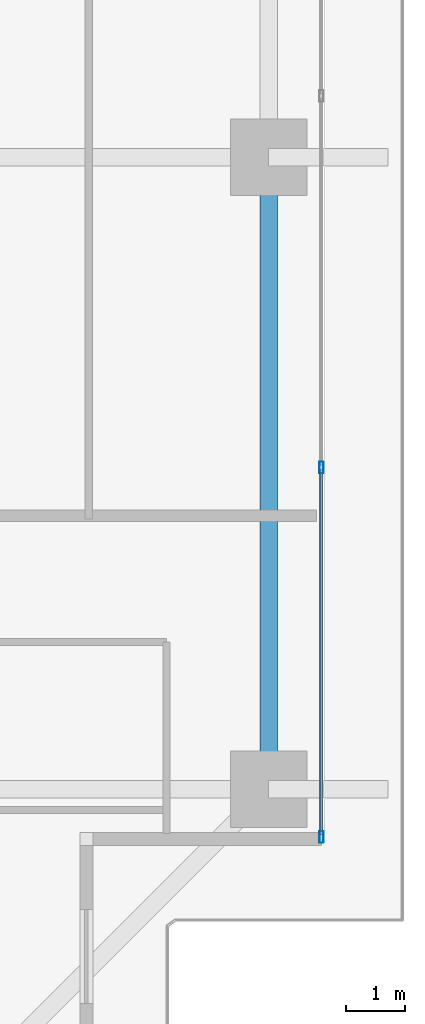
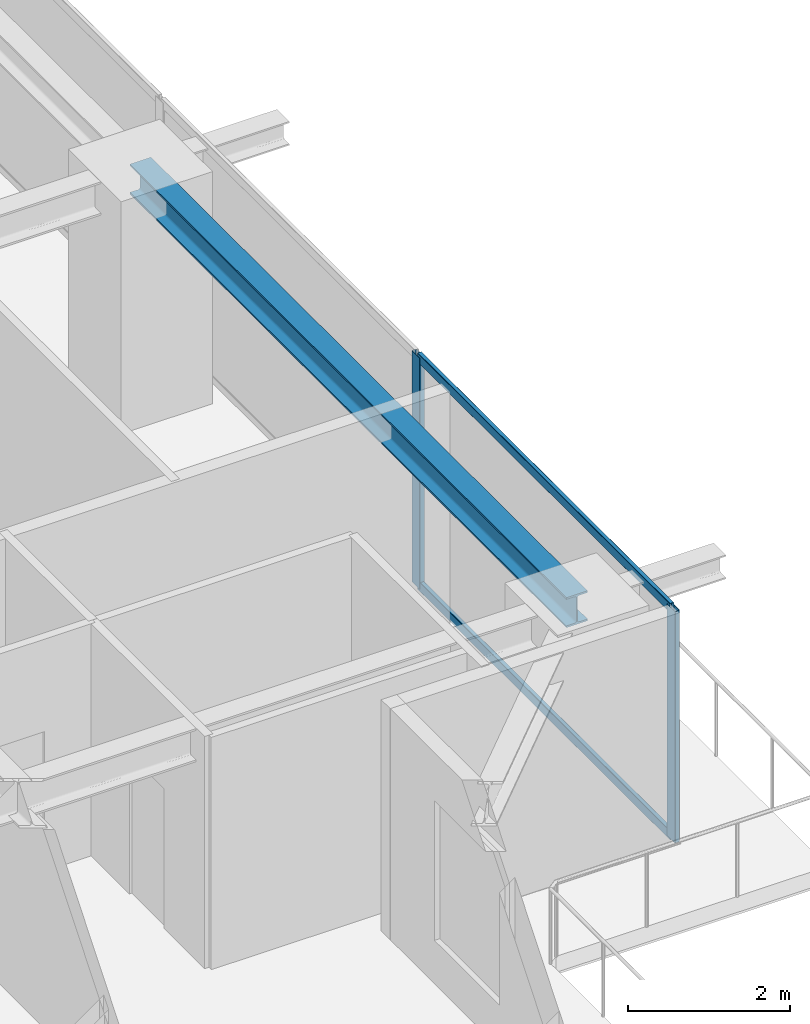
# One storey, part 14 of 39: 4 members, 1 beam, 1 element without a shape of its own.
"""IFC4 building model written with IfcOpenShell, lengths in metres."""

from ifc_helpers import new_model, si_unit, direction, frame, origin, origin_2d, place, context, subcontext, project, spatial, hollow_rectangle, i_section, extrude, source, transform, mapped, material, layer, layer_set, material_profile, profile_set, type_object, element, aggregate, save


model = new_model("IFC4")

# Units and contexts
model_context = context("Model", 3, precision=1e-05, world=origin(), true_north=direction((0.0, 1.0)))
body_context = subcontext(model_context, "Body", "Model", "MODEL_VIEW")
ifc_project = project(units=[si_unit("LENGTHUNIT", "METRE"), si_unit("AREAUNIT", "SQUARE_METRE"), si_unit("VOLUMEUNIT", "CUBIC_METRE"), si_unit("PLANEANGLEUNIT", "RADIAN"), si_unit("MASSUNIT", "GRAM", prefix="KILO")], contexts=[model_context])

# Site, building, storey
site_placement = place(None, origin())
site = spatial("IfcSite", under=ifc_project, at=site_placement, CompositionType="ELEMENT")
building_placement = place(site_placement, origin())
building = spatial("IfcBuilding", under=site, at=building_placement, Name="Serunith Strait Residences", CompositionType="ELEMENT")
storey_placement = place(building_placement, frame((0.0, 0.0, 168.89990234375)))
storey = spatial("IfcBuildingStorey", under=building, at=storey_placement, Name="L42", CompositionType="ELEMENT", Elevation=168.89990234375)

# Beam
ifc_material_1 = material(Name="Steel S355J2", Category="steel")
ifc_material_profile_1 = material_profile(ifc_material_1, i_section(OverallWidth=0.300048828125, OverallDepth=0.449951171875, WebThickness=0.013916015625, FlangeThickness=0.02587890625, FilletRadius=0.027099609375, at=origin_2d()), Name="HEB 450")
ifc_profile_set_1 = profile_set([ifc_material_profile_1], Name="Steel S355J2")
beam_type = type_object("IfcBeamType", Name="BM-HEB450", PredefinedType="BEAM", material=ifc_profile_set_1)
shared_shape_1 = source(origin(), body_context, "Body", "SweptSolid", [
    extrude(i_section(OverallWidth=0.300048828125, OverallDepth=0.449951171875, WebThickness=0.013916015625, FlangeThickness=0.02587890625, FilletRadius=0.027099609375, at=origin_2d()), origin(), (0.0, 0.0, 1.0), 10.75),
])
beam_placement = place(storey_placement, frame((56.10009765625, 10.25, 3.26220703125), z_axis=(0.0, 1.0, 0.0), x_axis=(-1.0, 0.0, 0.0)))
element("IfcBeam", 1, at=beam_placement, inside=storey, type_object=beam_type, Name="L42 Perimeter Ring Beam 05", PredefinedType="BEAM", context=body_context, shape_type="MappedRepresentation", body=[
    mapped(shared_shape_1, transform((0.0, 0.0, 0.0), scale=1.0)),
])

# Curtain wall, members
ifc_material_2 = material(Name="Pale-Champagne Anodised Aluminium", Category="aluminium")
ifc_layer = layer(ifc_material_2, 0.199951171875, Name="Pale-Champagne Anodised Aluminium")
ifc_layer_set = layer_set([ifc_layer], Name="Pale-Champagne Anodised Aluminium")
curtain_wall_type = type_object("IfcCurtainWallType", Name="CW-SYS2", PredefinedType="NOTDEFINED", material=ifc_layer_set)
curtain_wall_placement = place(storey_placement, origin())
curtain_wall = element("IfcCurtainWall", 2, at=curtain_wall_placement, inside=storey, type_object=curtain_wall_type, Name="L42 E Unitised Fritted Curtain Wall", PredefinedType="NOTDEFINED")
ifc_material_profile_2 = material_profile(ifc_material_2, hollow_rectangle(XDim=0.070068359375, YDim=0.199951171875, WallThickness=0.00390625, InnerFilletRadius=0.006103515625, OuterFilletRadius=0.010009765625, at=origin_2d()), Name="ALU 200x70x4")
ifc_profile_set_2 = profile_set([ifc_material_profile_2], Name="Pale-Champagne Anodised Aluminium")
member_type_1 = type_object("IfcMemberType", Name="CW-SYS2-MULL", PredefinedType="MULLION", material=ifc_profile_set_2)
shared_shape_2 = source(origin(), body_context, "Body", "SweptSolid", [
    extrude(hollow_rectangle(XDim=0.070068359375, YDim=0.199951171875, WallThickness=0.00390625, InnerFilletRadius=0.006103515625, OuterFilletRadius=0.010009765625, at=origin_2d()), origin(), (0.0, 0.0, 1.0), 3.47509765625),
])
member_1_placement = place(storey_placement, frame((57.0, 9.43505859375, 0.0), z_axis=(0.0, 0.0, 1.0), x_axis=(-1.0, 0.0, 0.0)))
member_1 = element("IfcMember", 3, at=member_1_placement, type_object=member_type_1, Name="CW-2 mullion 1", PredefinedType="MULLION", context=body_context, shape_type="MappedRepresentation", body=[
    mapped(shared_shape_2, transform((0.0, 0.0, 0.0), scale=1.0)),
])
member_2_placement = place(storey_placement, frame((57.0, 15.719970703125, 0.0), z_axis=(0.0, 0.0, 1.0), x_axis=(-1.0, 0.0, 0.0)))
member_2 = element("IfcMember", 4, at=member_2_placement, type_object=member_type_1, Name="CW-2 mullion 2", PredefinedType="MULLION", context=body_context, shape_type="MappedRepresentation", body=[
    mapped(shared_shape_2, transform((0.0, 0.0, 0.0), scale=1.0)),
])
ifc_material_profile_3 = material_profile(ifc_material_2, hollow_rectangle(XDim=0.06005859375, YDim=0.139892578125, WallThickness=0.00341796875, InnerFilletRadius=0.00537109375, OuterFilletRadius=0.0087890625, at=origin_2d()), Name="ALU 140x60x3.5")
ifc_profile_set_3 = profile_set([ifc_material_profile_3], Name="Pale-Champagne Anodised Aluminium")
member_type_2 = type_object("IfcMemberType", Name="CW-SYS2-TRAN", PredefinedType="USERDEFINED", material=ifc_profile_set_3)
shared_shape_3 = source(origin(), body_context, "Body", "SweptSolid", [
    extrude(hollow_rectangle(XDim=0.06005859375, YDim=0.139892578125, WallThickness=0.00341796875, InnerFilletRadius=0.00537109375, OuterFilletRadius=0.0087890625, at=origin_2d()), origin(), (0.0, 0.0, 1.0), 6.215087890625),
])
member_3_placement = place(storey_placement, frame((57.0, 9.469970703125, 0.030029296875), z_axis=(0.0, 1.0, 0.0), x_axis=(-1.0, 0.0, 0.0)))
member_3 = element("IfcMember", 5, at=member_3_placement, type_object=member_type_2, Name="CW-2 transom 1.1", ObjectType="TRANSOM", PredefinedType="USERDEFINED", context=body_context, shape_type="MappedRepresentation", body=[
    mapped(shared_shape_3, transform((0.0, 0.0, 0.0), scale=1.0)),
])
member_4_placement = place(storey_placement, frame((57.0, 9.469970703125, 3.445068359375), z_axis=(0.0, 1.0, 0.0), x_axis=(-1.0, 0.0, 0.0)))
member_4 = element("IfcMember", 6, at=member_4_placement, type_object=member_type_2, Name="CW-2 transom 1.2", ObjectType="TRANSOM", PredefinedType="USERDEFINED", context=body_context, shape_type="MappedRepresentation", body=[
    mapped(shared_shape_3, transform((0.0, 0.0, 0.0), scale=1.0)),
])
aggregate(curtain_wall, [member_1, member_2, member_3, member_4])

save(model, "model.ifc")
